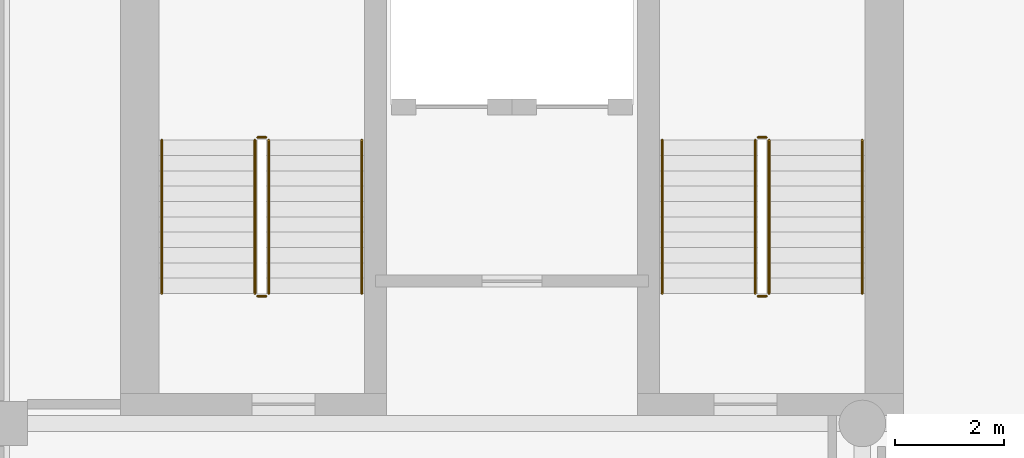
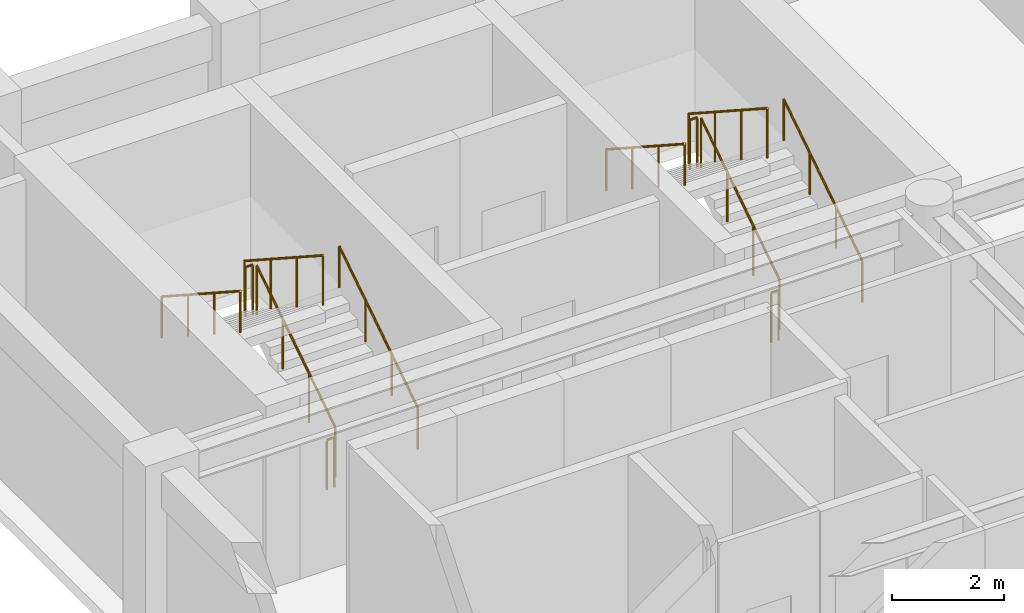
# One storey, part 9 of 10: 12 railings.
"""IFC4 building model written with IfcOpenShell, lengths in metres."""

from ifc_helpers import new_model, si_unit, direction, frame, origin, origin_2d, place, context, subcontext, project, spatial, circle, extrude, material, type_object, element, save


model = new_model("IFC4")

# Units and contexts
model_context = context("Model", 3, precision=1e-05, world=origin(), true_north=direction((0.0, 1.0)))
body_context = subcontext(model_context, "Body", "Model", "MODEL_VIEW")
ifc_project = project(units=[si_unit("LENGTHUNIT", "METRE"), si_unit("AREAUNIT", "SQUARE_METRE"), si_unit("VOLUMEUNIT", "CUBIC_METRE"), si_unit("PLANEANGLEUNIT", "RADIAN"), si_unit("MASSUNIT", "GRAM", prefix="KILO")], contexts=[model_context])

# Site, building, storey
site_placement = place(None, origin())
site = spatial("IfcSite", under=ifc_project, at=site_placement, CompositionType="ELEMENT")
building_placement = place(site_placement, origin())
building = spatial("IfcBuilding", under=site, at=building_placement, Name="Sulina Concourse Tower", CompositionType="ELEMENT")
storey_placement = place(building_placement, frame((0.0, 0.0, 206.60009765625)))
storey = spatial("IfcBuildingStorey", under=building, at=storey_placement, Name="L50", CompositionType="ELEMENT", Elevation=206.60009765625)

# Railings
ifc_material_1 = material(Name="Galvanised steel railing", Category="steel")
railing_type_1 = type_object("IfcRailingType", Name="Core Stair Steel Guardrail 1150mm", PredefinedType="GUARDRAIL", material=ifc_material_1)
railing_1_placement = place(storey_placement, frame((5.554931640625, 36.375, 0.181640625)))
element("IfcRailing", 1, at=railing_1_placement, inside=storey, type_object=railing_type_1, Name="L50 ST-1 stair guard 1", PredefinedType="GUARDRAIL", context=body_context, shape_type="SweptSolid", body=[
    extrude(circle(Radius=0.02392578125, at=origin_2d()), frame((0.0, 0.0, 1.076171875), z_axis=(0.0, 0.838672427954, 0.544636170843), x_axis=(-1.0, 0.0, 0.0)), (0.0, 0.0, 1.0), 3.338623046875),
    extrude(circle(Radius=0.02099609375, at=origin_2d()), origin(), (0.0, 0.0, 1.0), 1.052001953125),
    extrude(circle(Radius=0.02099609375, at=origin_2d()), frame((0.0, 0.933349609375, 0.606201171875)), (0.0, 0.0, 1.0), 1.052001953125),
    extrude(circle(Radius=0.02099609375, at=origin_2d()), frame((0.0, 1.86669921875, 1.212158203125)), (0.0, 0.0, 1.0), 1.052001953125),
    extrude(circle(Radius=0.02099609375, at=origin_2d()), frame((0.0, 2.800048828125, 1.818359375)), (0.0, 0.0, 1.0), 1.052001953125),
])
railing_2_placement = place(storey_placement, frame((5.5048828125, 39.22509765625, 2.0)))
element("IfcRailing", 2, at=railing_2_placement, inside=storey, type_object=railing_type_1, Name="L50 ST-1 stair guard 2", PredefinedType="GUARDRAIL", context=body_context, shape_type="SweptSolid", body=[
    extrude(circle(Radius=0.02392578125, at=origin_2d()), frame((0.0, 0.0, 1.076171875), z_axis=(-1.0, 0.0, 0.0), x_axis=(0.0, -1.0, 0.0)), (0.0, 0.0, 1.0), 0.14990234375),
    extrude(circle(Radius=0.02099609375, at=origin_2d()), origin(), (0.0, 0.0, 1.0), 1.052001953125),
    extrude(circle(Radius=0.02099609375, at=origin_2d()), frame((-0.14990234375, 0.0, 0.0)), (0.0, 0.0, 1.0), 1.052001953125),
])
railing_3_placement = place(storey_placement, frame((5.304931640625, 39.175048828125, 2.181640625)))
element("IfcRailing", 3, at=railing_3_placement, inside=storey, type_object=railing_type_1, Name="L50 ST-1 stair guard 3", PredefinedType="GUARDRAIL", context=body_context, shape_type="SweptSolid", body=[
    extrude(circle(Radius=0.02392578125, at=origin_2d()), frame((0.0, 0.0, 1.076171875), z_axis=(0.0, -0.838672427954, 0.544636170843), x_axis=(1.0, 0.0, 0.0)), (0.0, 0.0, 1.0), 3.338623046875),
    extrude(circle(Radius=0.02099609375, at=origin_2d()), origin(), (0.0, 0.0, 1.0), 1.052001953125),
    extrude(circle(Radius=0.02099609375, at=origin_2d()), frame((0.0, -0.933349609375, 0.606201171875)), (0.0, 0.0, 1.0), 1.052001953125),
    extrude(circle(Radius=0.02099609375, at=origin_2d()), frame((0.0, -1.86669921875, 1.212158203125)), (0.0, 0.0, 1.0), 1.052001953125),
    extrude(circle(Radius=0.02099609375, at=origin_2d()), frame((0.0, -2.800048828125, 1.818359375)), (0.0, 0.0, 1.0), 1.052001953125),
])
railing_4_placement = place(storey_placement, frame((5.5048828125, 36.324951171875, 0.0)))
element("IfcRailing", 4, at=railing_4_placement, inside=storey, type_object=railing_type_1, Name="L50 ST-1 stair guard 4", PredefinedType="GUARDRAIL", context=body_context, shape_type="SweptSolid", body=[
    extrude(circle(Radius=0.02392578125, at=origin_2d()), frame((0.0, 0.0, 1.076171875), z_axis=(-1.0, 0.0, 0.0), x_axis=(0.0, -1.0, 0.0)), (0.0, 0.0, 1.0), 0.14990234375),
    extrude(circle(Radius=0.02099609375, at=origin_2d()), origin(), (0.0, 0.0, 1.0), 1.052001953125),
    extrude(circle(Radius=0.02099609375, at=origin_2d()), frame((-0.14990234375, 0.0, 0.0)), (0.0, 0.0, 1.0), 1.052001953125),
])
railing_5_placement = place(storey_placement, frame((14.695068359375, 36.375, 0.181640625)))
element("IfcRailing", 5, at=railing_5_placement, inside=storey, type_object=railing_type_1, Name="L50 ST-2 stair guard 1", PredefinedType="GUARDRAIL", context=body_context, shape_type="SweptSolid", body=[
    extrude(circle(Radius=0.02392578125, at=origin_2d()), frame((0.0, 0.0, 1.076171875), z_axis=(0.0, 0.838672427954, 0.544636170843), x_axis=(-1.0, 0.0, 0.0)), (0.0, 0.0, 1.0), 3.338623046875),
    extrude(circle(Radius=0.02099609375, at=origin_2d()), origin(), (0.0, 0.0, 1.0), 1.052001953125),
    extrude(circle(Radius=0.02099609375, at=origin_2d()), frame((0.0, 0.933349609375, 0.606201171875)), (0.0, 0.0, 1.0), 1.052001953125),
    extrude(circle(Radius=0.02099609375, at=origin_2d()), frame((0.0, 1.86669921875, 1.212158203125)), (0.0, 0.0, 1.0), 1.052001953125),
    extrude(circle(Radius=0.02099609375, at=origin_2d()), frame((0.0, 2.800048828125, 1.818359375)), (0.0, 0.0, 1.0), 1.052001953125),
])
railing_6_placement = place(storey_placement, frame((14.64501953125, 39.22509765625, 2.0)))
element("IfcRailing", 6, at=railing_6_placement, inside=storey, type_object=railing_type_1, Name="L50 ST-2 stair guard 2", PredefinedType="GUARDRAIL", context=body_context, shape_type="SweptSolid", body=[
    extrude(circle(Radius=0.02392578125, at=origin_2d()), frame((0.0, 0.0, 1.076171875), z_axis=(-1.0, 0.0, 0.0), x_axis=(0.0, -1.0, 0.0)), (0.0, 0.0, 1.0), 0.14990234375),
    extrude(circle(Radius=0.02099609375, at=origin_2d()), origin(), (0.0, 0.0, 1.0), 1.052001953125),
    extrude(circle(Radius=0.02099609375, at=origin_2d()), frame((-0.14990234375, 0.0, 0.0)), (0.0, 0.0, 1.0), 1.052001953125),
])
railing_7_placement = place(storey_placement, frame((14.445068359375, 39.175048828125, 2.181640625)))
element("IfcRailing", 7, at=railing_7_placement, inside=storey, type_object=railing_type_1, Name="L50 ST-2 stair guard 3", PredefinedType="GUARDRAIL", context=body_context, shape_type="SweptSolid", body=[
    extrude(circle(Radius=0.02392578125, at=origin_2d()), frame((0.0, 0.0, 1.076171875), z_axis=(0.0, -0.838672427954, 0.544636170843), x_axis=(1.0, 0.0, 0.0)), (0.0, 0.0, 1.0), 3.338623046875),
    extrude(circle(Radius=0.02099609375, at=origin_2d()), origin(), (0.0, 0.0, 1.0), 1.052001953125),
    extrude(circle(Radius=0.02099609375, at=origin_2d()), frame((0.0, -0.933349609375, 0.606201171875)), (0.0, 0.0, 1.0), 1.052001953125),
    extrude(circle(Radius=0.02099609375, at=origin_2d()), frame((0.0, -1.86669921875, 1.212158203125)), (0.0, 0.0, 1.0), 1.052001953125),
    extrude(circle(Radius=0.02099609375, at=origin_2d()), frame((0.0, -2.800048828125, 1.818359375)), (0.0, 0.0, 1.0), 1.052001953125),
])
railing_8_placement = place(storey_placement, frame((14.64501953125, 36.324951171875, 0.0)))
element("IfcRailing", 8, at=railing_8_placement, inside=storey, type_object=railing_type_1, Name="L50 ST-2 stair guard 4", PredefinedType="GUARDRAIL", context=body_context, shape_type="SweptSolid", body=[
    extrude(circle(Radius=0.02392578125, at=origin_2d()), frame((0.0, 0.0, 1.076171875), z_axis=(-1.0, 0.0, 0.0), x_axis=(0.0, -1.0, 0.0)), (0.0, 0.0, 1.0), 0.14990234375),
    extrude(circle(Radius=0.02099609375, at=origin_2d()), origin(), (0.0, 0.0, 1.0), 1.052001953125),
    extrude(circle(Radius=0.02099609375, at=origin_2d()), frame((-0.14990234375, 0.0, 0.0)), (0.0, 0.0, 1.0), 1.052001953125),
])
ifc_material_2 = material(Name="Galvanised steel railing", Category="steel")
railing_type_2 = type_object("IfcRailingType", Name="Stair Wall Steel Handrail 920mm", PredefinedType="HANDRAIL", material=ifc_material_2)
railing_9_placement = place(storey_placement, frame((7.2548828125, 36.375, 0.181640625)))
element("IfcRailing", 9, at=railing_9_placement, inside=storey, type_object=railing_type_2, Name="L50 ST-1 stair handrail 1", PredefinedType="HANDRAIL", context=body_context, shape_type="SweptSolid", body=[
    extrude(circle(Radius=0.02392578125, at=origin_2d()), frame((0.0, 0.0, 0.89599609375), z_axis=(0.0, 0.838672427954, 0.544636170843), x_axis=(-1.0, 0.0, 0.0)), (0.0, 0.0, 1.0), 3.338623046875),
    extrude(circle(Radius=0.02099609375, at=origin_2d()), origin(), (0.0, 0.0, 1.0), 0.871826171875),
    extrude(circle(Radius=0.02099609375, at=origin_2d()), frame((0.0, 0.933349609375, 0.606201171875)), (0.0, 0.0, 1.0), 0.871826171875),
    extrude(circle(Radius=0.02099609375, at=origin_2d()), frame((0.0, 1.86669921875, 1.212158203125)), (0.0, 0.0, 1.0), 0.871826171875),
    extrude(circle(Radius=0.02099609375, at=origin_2d()), frame((0.0, 2.800048828125, 1.818359375)), (0.0, 0.0, 1.0), 0.871826171875),
])
railing_10_placement = place(storey_placement, frame((3.60498046875, 39.175048828125, 2.181640625)))
element("IfcRailing", 10, at=railing_10_placement, inside=storey, type_object=railing_type_2, Name="L50 ST-1 stair handrail 2", PredefinedType="HANDRAIL", context=body_context, shape_type="SweptSolid", body=[
    extrude(circle(Radius=0.02392578125, at=origin_2d()), frame((0.0, 0.0, 0.89599609375), z_axis=(0.0, -0.838672427954, 0.544636170843), x_axis=(1.0, 0.0, 0.0)), (0.0, 0.0, 1.0), 3.338623046875),
    extrude(circle(Radius=0.02099609375, at=origin_2d()), origin(), (0.0, 0.0, 1.0), 0.871826171875),
    extrude(circle(Radius=0.02099609375, at=origin_2d()), frame((0.0, -0.933349609375, 0.606201171875)), (0.0, 0.0, 1.0), 0.871826171875),
    extrude(circle(Radius=0.02099609375, at=origin_2d()), frame((0.0, -1.86669921875, 1.212158203125)), (0.0, 0.0, 1.0), 0.871826171875),
    extrude(circle(Radius=0.02099609375, at=origin_2d()), frame((0.0, -2.800048828125, 1.818359375)), (0.0, 0.0, 1.0), 0.871826171875),
])
railing_11_placement = place(storey_placement, frame((16.39501953125, 36.375, 0.181640625)))
element("IfcRailing", 11, at=railing_11_placement, inside=storey, type_object=railing_type_2, Name="L50 ST-2 stair handrail 1", PredefinedType="HANDRAIL", context=body_context, shape_type="SweptSolid", body=[
    extrude(circle(Radius=0.02392578125, at=origin_2d()), frame((0.0, 0.0, 0.89599609375), z_axis=(0.0, 0.838672427954, 0.544636170843), x_axis=(-1.0, 0.0, 0.0)), (0.0, 0.0, 1.0), 3.338623046875),
    extrude(circle(Radius=0.02099609375, at=origin_2d()), origin(), (0.0, 0.0, 1.0), 0.871826171875),
    extrude(circle(Radius=0.02099609375, at=origin_2d()), frame((0.0, 0.933349609375, 0.606201171875)), (0.0, 0.0, 1.0), 0.871826171875),
    extrude(circle(Radius=0.02099609375, at=origin_2d()), frame((0.0, 1.86669921875, 1.212158203125)), (0.0, 0.0, 1.0), 0.871826171875),
    extrude(circle(Radius=0.02099609375, at=origin_2d()), frame((0.0, 2.800048828125, 1.818359375)), (0.0, 0.0, 1.0), 0.871826171875),
])
railing_12_placement = place(storey_placement, frame((12.7451171875, 39.175048828125, 2.181640625)))
element("IfcRailing", 12, at=railing_12_placement, inside=storey, type_object=railing_type_2, Name="L50 ST-2 stair handrail 2", PredefinedType="HANDRAIL", context=body_context, shape_type="SweptSolid", body=[
    extrude(circle(Radius=0.02392578125, at=origin_2d()), frame((0.0, 0.0, 0.89599609375), z_axis=(0.0, -0.838672427954, 0.544636170843), x_axis=(1.0, 0.0, 0.0)), (0.0, 0.0, 1.0), 3.338623046875),
    extrude(circle(Radius=0.02099609375, at=origin_2d()), origin(), (0.0, 0.0, 1.0), 0.871826171875),
    extrude(circle(Radius=0.02099609375, at=origin_2d()), frame((0.0, -0.933349609375, 0.606201171875)), (0.0, 0.0, 1.0), 0.871826171875),
    extrude(circle(Radius=0.02099609375, at=origin_2d()), frame((0.0, -1.86669921875, 1.212158203125)), (0.0, 0.0, 1.0), 0.871826171875),
    extrude(circle(Radius=0.02099609375, at=origin_2d()), frame((0.0, -2.800048828125, 1.818359375)), (0.0, 0.0, 1.0), 0.871826171875),
])

save(model, "model.ifc")
